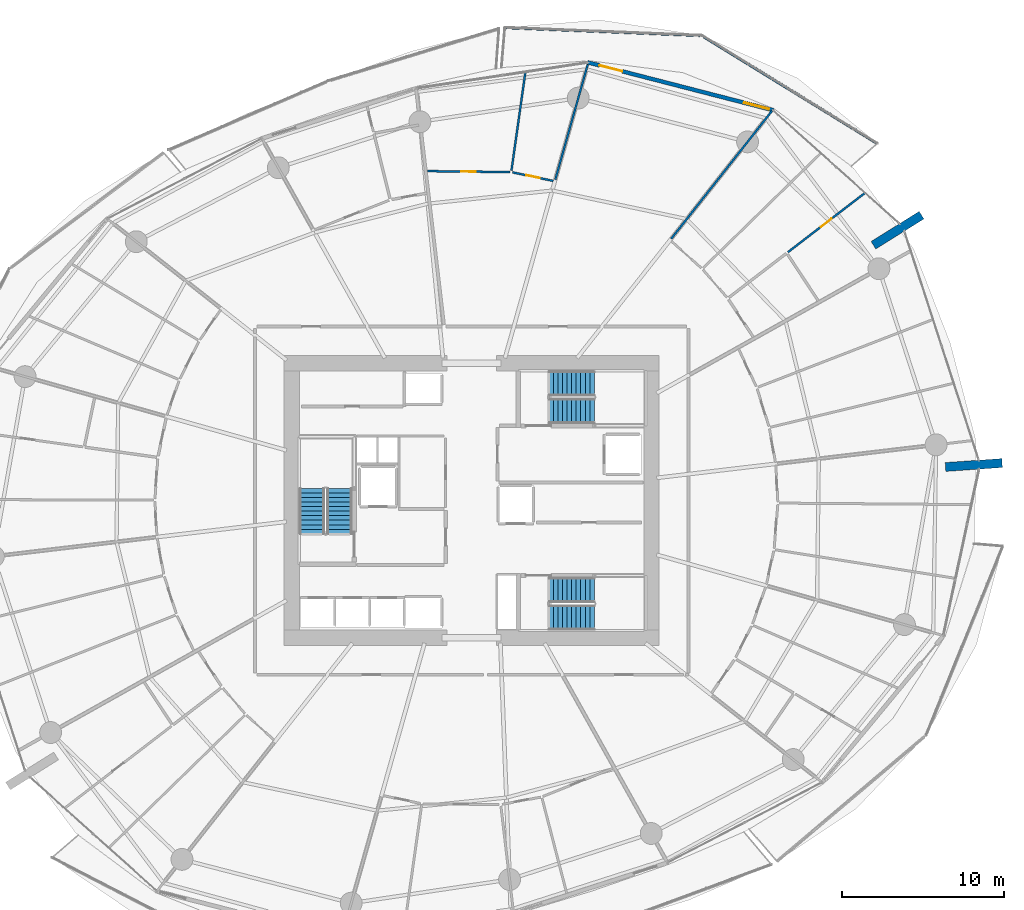
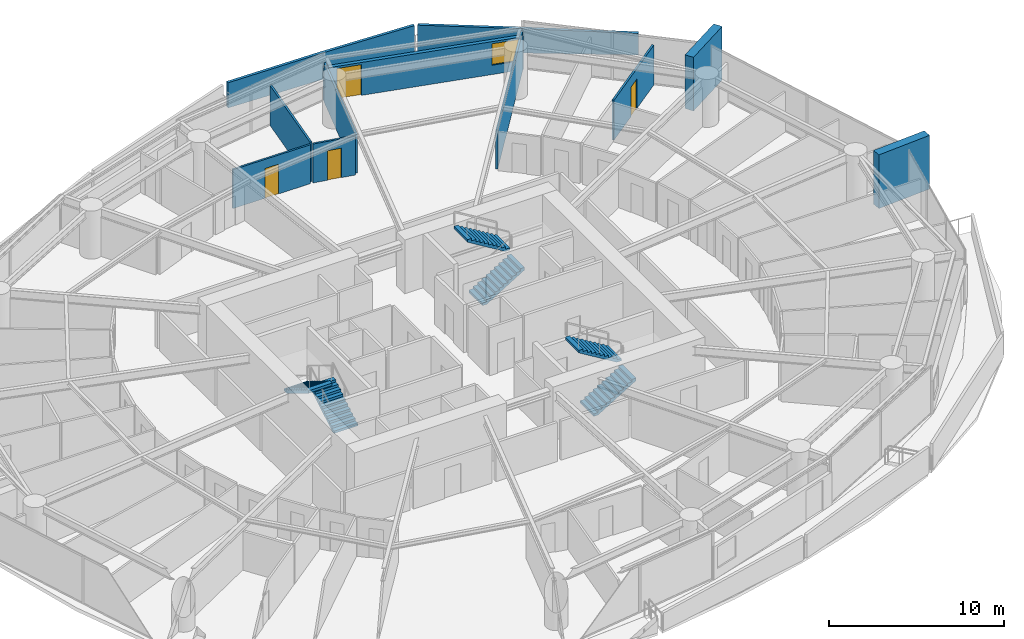
# One storey, part 24 of 31: 11 walls, 6 stair flights, 4 doors, 1 window, 5 openings, 3 elements without a shape of their own.
"""IFC4 building model written with IfcOpenShell, lengths in metres."""

import ifcopenshell
import ifcopenshell.guid

model = None  # the IFC model being written
_history = None  # IfcOwnerHistory: only IFC2X3 demands one
_inside = {}  # id of a spatial element -> (the spatial element, [elements in it])
_under = {}  # id of a project, library or spatial element -> (it, [spatial elements below it])
_declared = {}  # id of a project -> (the project, [libraries it declares])
_typed = {}  # id of a type object -> (the type object, [elements of that type])
_made_of = {}  # id of a material, layer set ... -> (it, [elements and type objects made of it])


def new_model(schema):
    """Start an empty IFC model of exactly this schema.

    Asked for "IFC4X3", IfcOpenShell would pick the latest addendum, in which some entities
    have other attributes; the version numbers below select the first issue.
    IFC2X3 requires an IfcOwnerHistory on every rooted entity: one is made here for all.
    """
    global model, _history
    if schema == "IFC4X3":
        model = ifcopenshell.file(schema_version=(4, 3, 0, 0))
    else:
        model = ifcopenshell.file(schema=schema)
    _inside.clear()
    _under.clear()
    _declared.clear()
    _typed.clear()
    _made_of.clear()
    _history = None
    if model.schema == "IFC2X3":
        org = make("IfcOrganization", Name="unknown")
        user = make(
            "IfcPersonAndOrganization",
            ThePerson=make("IfcPerson", FamilyName="unknown"),
            TheOrganization=org,
        )
        app = make(
            "IfcApplication",
            ApplicationDeveloper=org,
            Version="unknown",
            ApplicationFullName="unknown",
            ApplicationIdentifier="unknown",
        )
        _history = make(
            "IfcOwnerHistory",
            OwningUser=user,
            OwningApplication=app,
            ChangeAction="ADDED",
            CreationDate=0,
        )
    return model


def make(cls, **values):
    """One entity of the class cls with the attributes given. An attribute that is None is left unset."""
    return model.create_entity(
        cls, **{name: value for name, value in values.items() if value is not None}
    )


def rooted(cls, **values):
    """An entity with a GlobalId (a new one), such as an element, a storey or a relation."""
    return make(cls, GlobalId=ifcopenshell.guid.new(), OwnerHistory=_history, **values)


def si_unit(unit_type, name, prefix=None):
    """IfcSIUnit, for example si_unit("LENGTHUNIT", "METRE", prefix="MILLI")."""
    return make("IfcSIUnit", UnitType=unit_type, Prefix=prefix, Name=name)


def assignment(units):
    """IfcUnitAssignment: the units of a project."""
    return None if units is None else make("IfcUnitAssignment", Units=units)


def point(xyz):
    """IfcCartesianPoint."""
    return None if xyz is None else make("IfcCartesianPoint", Coordinates=xyz)


def direction(xyz):
    """IfcDirection."""
    return None if xyz is None else make("IfcDirection", DirectionRatios=xyz)


def frame(location, z_axis=None, x_axis=None):
    """IfcAxis2Placement3D, a coordinate frame: its origin and axes. An axis left out is left unset."""
    return make(
        "IfcAxis2Placement3D",
        Location=point(location),
        Axis=direction(z_axis),
        RefDirection=direction(x_axis),
    )


def frame_2d(location, x_axis=None):
    """IfcAxis2Placement2D, a coordinate frame in the plane: its origin and x axis."""
    return make(
        "IfcAxis2Placement2D", Location=point(location), RefDirection=direction(x_axis)
    )


def origin():
    """The frame at (0, 0, 0) with its axes left unset."""
    return frame((0.0, 0.0, 0.0))


def place(relative_to, where):
    """IfcLocalPlacement: puts the frame where relative to a parent placement (None: the world)."""
    return make(
        "IfcLocalPlacement", PlacementRelTo=relative_to, RelativePlacement=where
    )


def context(
    kind, dimensions, precision=None, world=None, true_north=None, identifier=None
):
    """IfcGeometricRepresentationContext, for example the 3D "Model" context."""
    return make(
        "IfcGeometricRepresentationContext",
        ContextIdentifier=identifier,
        ContextType=kind,
        CoordinateSpaceDimension=dimensions,
        Precision=precision,
        WorldCoordinateSystem=world,
        TrueNorth=true_north,
    )


def subcontext(parent, identifier, kind, view, scale=None):
    """IfcGeometricRepresentationSubContext, for example "Body" below "Model"."""
    return make(
        "IfcGeometricRepresentationSubContext",
        ContextIdentifier=identifier,
        ContextType=kind,
        ParentContext=parent,
        TargetScale=scale,
        TargetView=view,
    )


def project(units=None, contexts=None):
    """IfcProject with its units and contexts."""
    return rooted(
        "IfcProject",
        Name="project",
        RepresentationContexts=contexts,
        UnitsInContext=assignment(units),
    )


def spatial(cls, under=None, at=None, **own):
    """A site, building, storey or space (cls), placed at a placement, below another one or the project."""
    s = rooted(cls, ObjectPlacement=at, **own)
    if under is not None:
        _under.setdefault(under.id(), (under, []))[1].append(s)
    return s


def polyline(points):
    """IfcPolyline through the points."""
    return make("IfcPolyline", Points=[point(p) for p in points])


def profile(cls, at=None, kind="AREA", **sizes):
    """A parametric profile (cls). Its sizes go by their IFC names, for example OverallWidth=200.0."""
    return make(cls, ProfileType=kind, Position=at, **sizes)


def rectangle(**sizes):
    """IfcRectangleProfileDef."""
    return profile("IfcRectangleProfileDef", **sizes)


def outline(outer, holes=None, kind="AREA"):
    """IfcArbitraryClosedProfileDef: a profile drawn as a closed curve; with holes, ...WithVoids."""
    if holes is None:
        return make("IfcArbitraryClosedProfileDef", ProfileType=kind, OuterCurve=outer)
    return make(
        "IfcArbitraryProfileDefWithVoids",
        ProfileType=kind,
        OuterCurve=outer,
        InnerCurves=holes,
    )


def extrude(swept, where, along, depth):
    """IfcExtrudedAreaSolid: the profile swept, set in the frame where, extruded along a direction by depth."""
    return make(
        "IfcExtrudedAreaSolid",
        SweptArea=swept,
        Position=where,
        ExtrudedDirection=direction(along),
        Depth=depth,
    )


def shape(context_of_items, identifier, shape_type, items):
    """IfcShapeRepresentation: the items that make up one representation, for example the "Body"."""
    return make(
        "IfcShapeRepresentation",
        ContextOfItems=context_of_items,
        RepresentationIdentifier=identifier,
        RepresentationType=shape_type,
        Items=items,
    )


def material(Name=None, Category=None):
    """IfcMaterial."""
    return make("IfcMaterial", Name=Name, Category=Category)


def layer(
    of_material, thickness, ventilated=None, Name=None, Category=None, Priority=None
):
    """IfcMaterialLayer: one layer of a wall or slab, of a material (None: an air gap)."""
    return make(
        "IfcMaterialLayer",
        Material=of_material,
        LayerThickness=thickness,
        IsVentilated=ventilated,
        Name=Name,
        Category=Category,
        Priority=Priority,
    )


def layer_set(layers, Name=None):
    """IfcMaterialLayerSet."""
    return make("IfcMaterialLayerSet", MaterialLayers=layers, LayerSetName=Name)


def made_of(thing, what):
    """Note that an element or type object is made of a material, layer set ...; save() writes the relation."""
    if what is not None:
        _made_of.setdefault(what.id(), (what, []))[1].append(thing)
    return thing


def type_object(cls, material=None, **own):
    """A type object (cls), such as IfcWallType, which elements share."""
    return made_of(rooted(cls, **own), material)


def element(
    cls,
    number,
    at=None,
    inside=None,
    cuts=None,
    type_object=None,
    material=None,
    context=None,
    identifier="Body",
    shape_type=None,
    held_by="IfcProductDefinitionShape",
    body=None,
    shapes=None,
    **own,
):
    """One element of the class cls, such as IfcWall. Its Tag is "e" and its number.

    at: its placement. inside: the storey or other place that contains it. cuts: it is an
    opening in that element (IfcRelVoidsElement). A single representation is given by context,
    identifier, shape_type and body (its items); several are given by shapes. held_by: the class
    of the entity that holds the representations. save() writes the other relations.
    """
    e = rooted(cls, Tag="e%d" % number, ObjectPlacement=at, **own)
    if body is not None:
        shapes = [shape(context, identifier, shape_type, body)]
    if shapes is not None:
        e.Representation = make(held_by, Representations=shapes)
    if inside is not None:
        _inside.setdefault(inside.id(), (inside, []))[1].append(e)
    if cuts is not None:
        rooted(
            "IfcRelVoidsElement", RelatingBuildingElement=cuts, RelatedOpeningElement=e
        )
    if type_object is not None:
        _typed.setdefault(type_object.id(), (type_object, []))[1].append(e)
    return made_of(e, material)


def fill(opening, filler):
    """IfcRelFillsElement: the door or window that sits in an opening."""
    return rooted(
        "IfcRelFillsElement",
        RelatingOpeningElement=opening,
        RelatedBuildingElement=filler,
    )


def aggregate(whole, parts):
    """IfcRelAggregates: a whole, such as a stair, and the parts it consists of."""
    return rooted("IfcRelAggregates", RelatingObject=whole, RelatedObjects=parts)


def save(model, path):
    """Write the relations noted so far, then the file.

    IfcRelAggregates (storeys below a building ...), IfcRelContainedInSpatialStructure (elements
    in a storey), IfcRelDefinesByType, IfcRelAssociatesMaterial and IfcRelDeclares: one each for
    every whole, place, type object, material and project.
    """
    for whole, parts in _under.values():
        aggregate(whole, parts)
    for where, things in _inside.values():
        rooted(
            "IfcRelContainedInSpatialStructure",
            RelatedElements=things,
            RelatingStructure=where,
        )
    for kind, things in _typed.values():
        rooted("IfcRelDefinesByType", RelatedObjects=things, RelatingType=kind)
    for what, things in _made_of.values():
        rooted("IfcRelAssociatesMaterial", RelatedObjects=things, RelatingMaterial=what)
    for by, libraries in _declared.values():
        rooted("IfcRelDeclares", RelatingContext=by, RelatedDefinitions=libraries)
    model.write(path)


model = new_model("IFC4")

# Units and contexts
model_context = context("Model", 3, precision=1e-05, world=origin(), true_north=direction((0.0, 1.0)))
body_context = subcontext(model_context, "Body", "Model", "MODEL_VIEW")
ifc_project = project(units=[si_unit("LENGTHUNIT", "METRE"), si_unit("AREAUNIT", "SQUARE_METRE"), si_unit("VOLUMEUNIT", "CUBIC_METRE"), si_unit("PLANEANGLEUNIT", "RADIAN"), si_unit("MASSUNIT", "GRAM", prefix="KILO")], contexts=[model_context])

# Site, building, storey
site_placement = place(None, origin())
site = spatial("IfcSite", under=ifc_project, at=site_placement, CompositionType="ELEMENT")
building_placement = place(site_placement, origin())
building = spatial("IfcBuilding", under=site, at=building_placement, Name="Kazma Halo Residences", CompositionType="ELEMENT")
storey_placement = place(building_placement, frame((0.0, 0.0, 67.64990234375)))
storey = spatial("IfcBuildingStorey", under=building, at=storey_placement, Name="L16", CompositionType="ELEMENT", Elevation=67.64990234375)

# Walls
ifc_material_1 = material(Name="White Concrete C50/60 Balustrade", Category="concrete")
ifc_layer_1 = layer(ifc_material_1, 0.179931640625)
ifc_layer_set_1 = layer_set([ifc_layer_1], Name="White Concrete C50/60 Balustrade")
wall_type_1 = type_object("IfcWallType", Name="WL-BAL-WAVE-180", PredefinedType="PARAPET", material=ifc_layer_set_1)
wall_1_placement = place(storey_placement, frame((73.48779296875, 64.039306640625, 0.0), z_axis=(0.0, 0.0, 1.0), x_axis=(-0.851732671453, 0.523976579991, 0.0)))
element("IfcWall", 1, at=wall_1_placement, inside=storey, type_object=wall_type_1, Name="L16 white wave balustrade wall NE.1", PredefinedType="PARAPET", context=body_context, shape_type="SweptSolid", body=[
    extrude(outline(polyline([(0.0, 0.0), (12.625, 0.0), (12.625244140625, 1.83203125), (6.3125, 1.696044921875), (0.0, 1.4970703125), (0.0, 0.0)])), frame((0.0, 0.08984375, 0.0), z_axis=(0.0, -1.0, 0.0), x_axis=(1.0, 0.0, 0.0)), (0.0, 0.0, 1.0), 0.179931640625),
])
wall_2_placement = place(storey_placement, frame((62.512451171875, 70.722412109375, 0.0), z_axis=(0.0, 0.0, 1.0), x_axis=(-0.999194241802, 0.040135609494, 0.0)))
element("IfcWall", 2, at=wall_2_placement, inside=storey, type_object=wall_type_1, Name="L16 white wave balustrade wall NE.2", PredefinedType="PARAPET", context=body_context, shape_type="SweptSolid", body=[
    extrude(outline(polyline([(0.0, 0.0), (12.044189453125, 0.0), (12.0439453125, 1.756103515625), (6.02197265625, 1.85302734375), (0.0, 1.83203125), (0.0, 0.0)])), frame((0.0, 0.08984375, 0.0), z_axis=(0.0, -1.0, 0.0), x_axis=(1.0, 0.0, 0.0)), (0.0, 0.0, 1.0), 0.179931640625),
])
ifc_material_2 = material(Name="Pale Concrete C60/75", Category="concrete")
ifc_layer_2 = layer(ifc_material_2, 0.550048828125)
ifc_layer_set_2 = layer_set([ifc_layer_2], Name="Pale Concrete C60/75")
wall_type_2 = type_object("IfcWallType", Name="WL-BLADE-550", PredefinedType="SOLIDWALL", material=ifc_layer_set_2)
for number, where, z_axis, x_axis, name in (
    (3, (73.229736328125, 57.765380859375, 0.0), (0.0, 0.0, 1.0), (0.848053161125, 0.529911158502, 0.0), "L16 pale concrete structural blade fin wall BW-01"),
    (4, (77.677978515625, 44.0751953125, 0.0), (0.0, 0.0, 1.0), (0.997564163539, 0.069754853754, 0.0), "L16 pale concrete structural blade fin wall BW-04"),
):
    element("IfcWall", number, at=place(storey_placement, frame(where, z_axis=z_axis, x_axis=x_axis)), inside=storey, type_object=wall_type_2, Name=name, PredefinedType="SOLIDWALL", context=body_context, shape_type="SweptSolid", body=[
        extrude(rectangle(XDim=3.5, YDim=0.550048828125, at=frame_2d((1.75, 0.0))), origin(), (0.0, 0.0, 1.0), 3.75),
    ])

# Wall, openings, door, window
ifc_material_3 = material(Name="Insulated Pale-Metal Composite Wall")
ifc_layer_3 = layer(ifc_material_3, 0.239990234375)
ifc_layer_set_3 = layer_set([ifc_layer_3], Name="Insulated Pale-Metal Composite Wall")
wall_type_3 = type_object("IfcWallType", Name="WL-EXT-HOST-240", PredefinedType="SOLIDWALL", material=ifc_layer_set_3)
wall_3_placement = place(storey_placement, frame((67.05419921875, 66.09619140625, 0.0), z_axis=(0.0, 0.0, 1.0), x_axis=(-0.96833871487, 0.249640007378, 0.0)))
wall_3 = element("IfcWall", 5, at=wall_3_placement, inside=storey, type_object=wall_type_3, Name="L16 exterior terrace-access wall B02", PredefinedType="SOLIDWALL", context=body_context, shape_type="SweptSolid", body=[
    extrude(rectangle(XDim=11.85107421875, YDim=0.239990234375, at=frame_2d((5.925537109375, 0.0))), origin(), (0.0, 0.0, 1.0), 2.300048828125),
])
opening_1_placement = place(wall_3_placement, frame((9.631103515625, 0.0, 0.0)))
opening_1 = element("IfcOpeningElement", 6, at=opening_1_placement, cuts=wall_3, Name="Opening DTR-1600", PredefinedType="OPENING", context=body_context, shape_type="SweptSolid", body=[
    extrude(rectangle(XDim=1.449951171875, YDim=2.14990234375, at=frame_2d((0.72509765625, 1.074951171875))), frame((0.0, 0.1298828125, 0.0), z_axis=(0.0, -1.0, 0.0), x_axis=(1.0, 0.0, 0.0)), (0.0, 0.0, 1.0), 0.260009765625),
])
opening_2_placement = place(wall_3_placement, frame((0.280029296875, 0.0, 0.64990234375)))
opening_2 = element("IfcOpeningElement", 7, at=opening_2_placement, cuts=wall_3, Name="Opening W-1800", PredefinedType="OPENING", context=body_context, shape_type="SweptSolid", body=[
    extrude(rectangle(XDim=1.60009765625, YDim=1.5, at=frame_2d((0.800048828125, 0.75))), frame((0.0, 0.1298828125, 0.0), z_axis=(0.0, -1.0, 0.0), x_axis=(1.0, 0.0, 0.0)), (0.0, 0.0, 1.0), 0.260009765625),
])
ifc_material_4 = material(Name="Aluminium AW-6063 T6 Double-Glazed Terrace Door", Category="aluminium")
door_type_1 = type_object("IfcDoorType", Name="DR-EXT-TERR-1600", OperationType="NOTDEFINED", PredefinedType="DOOR", material=ifc_material_4)
door_1_placement = place(opening_1_placement, origin())
door_1 = element("IfcDoor", 8, at=door_1_placement, inside=storey, type_object=door_type_1, Name="L16 B02 balcony terrace door", OperationType="DOUBLE_DOOR_SLIDING", OverallHeight=2.14990234375, OverallWidth=1.449951171875, PredefinedType="DOOR", context=body_context, shape_type="SweptSolid", body=[
    extrude(rectangle(XDim=1.449951171875, YDim=2.14990234375, at=frame_2d((0.72509765625, 1.074951171875))), frame((0.0, 0.02490234375, 0.0), z_axis=(0.0, -1.0, 0.0), x_axis=(1.0, 0.0, 0.0)), (0.0, 0.0, 1.0), 0.050048828125),
])
fill(opening_1, door_1)
ifc_material_5 = material(Name="Clear Triple-Silver Low-E Glass in Aluminium AW-6063 T6 Frame", Category="aluminium")
window_type = type_object("IfcWindowType", Name="WIN-RES-1800", PartitioningType="DOUBLE_PANEL_VERTICAL", PredefinedType="WINDOW", material=ifc_material_5)
window_placement = place(opening_2_placement, origin())
window = element("IfcWindow", 9, at=window_placement, inside=storey, type_object=window_type, Name="L16 B02 apartment window", OverallHeight=1.5, OverallWidth=1.60009765625, PartitioningType="SINGLE_PANEL", PredefinedType="WINDOW", context=body_context, shape_type="SweptSolid", body=[
    extrude(rectangle(XDim=1.60009765625, YDim=1.5, at=frame_2d((0.800048828125, 0.75))), frame((0.0, 0.030029296875, 0.0), z_axis=(0.0, -1.0, 0.0), x_axis=(1.0, 0.0, 0.0)), (0.0, 0.0, 1.0), 0.06005859375),
])
fill(opening_2, window)

# Wall
ifc_material_6 = material(Name="Gypsum Plasterboard Partition")
ifc_layer_4 = layer(ifc_material_6, 0.125)
ifc_layer_set_4 = layer_set([ifc_layer_4], Name="Gypsum Plasterboard Partition")
wall_type_4 = type_object("IfcWallType", Name="WL-PART-125", PredefinedType="PARTITIONING", material=ifc_layer_set_4)
wall_4_placement = place(storey_placement, frame((60.742919921875, 58.1640625, 0.0), z_axis=(0.0, 0.0, 1.0), x_axis=(0.61907620874, 0.785330916093, 0.0)))
element("IfcWall", 10, at=wall_4_placement, inside=storey, type_object=wall_type_4, Name="L16 Apartment 4 living radial partition 0", PredefinedType="PARTITIONING", context=body_context, shape_type="SweptSolid", body=[
    extrude(rectangle(XDim=10.09130859375, YDim=0.125, at=frame_2d((5.045654296875, 0.0))), origin(), (0.0, 0.0, 1.0), 2.717041015625),
])

# Wall, opening, door
wall_5_placement = place(storey_placement, frame((67.94921875, 57.336669921875, 0.0), z_axis=(0.0, 0.0, 1.0), x_axis=(0.792800135679, 0.609481701832, 0.0)))
wall_5 = element("IfcWall", 11, at=wall_5_placement, inside=storey, type_object=wall_type_4, Name="L16 Apartment 4 Utility Laundry Room partition wall", PredefinedType="PARTITIONING", context=body_context, shape_type="SweptSolid", body=[
    extrude(rectangle(XDim=5.975830078125, YDim=0.125, at=frame_2d((2.98779296875, 0.0))), origin(), (0.0, 0.0, 1.0), 2.7900390625),
])
opening_3_placement = place(wall_5_placement, frame((2.562744140625, 0.0, 0.0)))
opening_3 = element("IfcOpeningElement", 12, at=opening_3_placement, cuts=wall_5, Name="Opening DB-900", PredefinedType="OPENING", context=body_context, shape_type="SweptSolid", body=[
    extrude(rectangle(XDim=0.85009765625, YDim=2.06005859375, at=frame_2d((0.425048828125, 1.030029296875))), frame((0.0, 0.072509765625, 0.0), z_axis=(0.0, -1.0, 0.0), x_axis=(1.0, 0.0, 0.0)), (0.0, 0.0, 1.0), 0.14501953125),
])
ifc_material_7 = material(Name="Moisture-Sealed Timber Leaf", Category="wood")
door_type_2 = type_object("IfcDoorType", Name="DR-BTH-900", OperationType="NOTDEFINED", PredefinedType="DOOR", material=ifc_material_7)
door_2_placement = place(opening_3_placement, origin())
door_2 = element("IfcDoor", 13, at=door_2_placement, inside=storey, type_object=door_type_2, Name="L16 Apartment 4 Utility Laundry Room door", OperationType="SINGLE_SWING_RIGHT", OverallHeight=2.06005859375, OverallWidth=0.85009765625, PredefinedType="DOOR", context=body_context, shape_type="SweptSolid", body=[
    extrude(rectangle(XDim=0.85009765625, YDim=2.06005859375, at=frame_2d((0.425048828125, 1.030029296875))), frame((0.0, 0.02490234375, 0.0), z_axis=(0.0, -1.0, 0.0), x_axis=(1.0, 0.0, 0.0)), (0.0, 0.0, 1.0), 0.050048828125),
])
fill(opening_3, door_2)

# Walls
wall_6_placement = place(storey_placement, frame((53.5869140625, 61.810302734375, 0.0), z_axis=(0.0, 0.0, 1.0), x_axis=(0.271464088879, 0.962448569249, 0.0)))
element("IfcWall", 14, at=wall_6_placement, inside=storey, type_object=wall_type_4, Name="L16 Apartment 4 radial partition 2", PredefinedType="PARTITIONING", context=body_context, shape_type="SweptSolid", body=[
    extrude(rectangle(XDim=7.38916015625, YDim=0.125, at=frame_2d((3.694580078125, 0.0))), origin(), (0.0, 0.0, 1.0), 2.717041015625),
])
wall_7_placement = place(storey_placement, frame((50.8828125, 62.3701171875, 0.0), z_axis=(0.0, 0.0, 1.0), x_axis=(0.140126411414, 0.990133621702, 0.0)))
element("IfcWall", 15, at=wall_7_placement, inside=storey, type_object=wall_type_4, Name="L16 Apartment 4 mid-bay wall 2", PredefinedType="PARTITIONING", context=body_context, shape_type="SweptSolid", body=[
    extrude(rectangle(XDim=6.1240234375, YDim=0.125, at=frame_2d((3.06201171875, 0.0))), origin(), (0.0, 0.0, 1.0), 2.7900390625),
])

# Wall, opening, door
wall_8_placement = place(storey_placement, frame((53.4619140625, 61.734619140625, 0.0), z_axis=(0.0, 0.0, 1.0), x_axis=(-0.978499333356, 0.206249980902, 0.0)))
wall_8 = element("IfcWall", 16, at=wall_8_placement, inside=storey, type_object=wall_type_4, Name="L16 Apartment 4 East Bedroom hall wall", PredefinedType="PARTITIONING", context=body_context, shape_type="SweptSolid", body=[
    extrude(rectangle(XDim=2.568603515625, YDim=0.125, at=frame_2d((1.2841796875, 0.0))), origin(), (0.0, 0.0, 1.0), 2.717041015625),
])
opening_4_placement = place(wall_8_placement, frame((0.859375, 0.0, 0.0)))
opening_4 = element("IfcOpeningElement", 17, at=opening_4_placement, cuts=wall_8, Name="Opening DB-900", PredefinedType="OPENING", context=body_context, shape_type="SweptSolid", body=[
    extrude(rectangle(XDim=0.85009765625, YDim=2.06005859375, at=frame_2d((0.425048828125, 1.030029296875))), frame((0.0, 0.072509765625, 0.0), z_axis=(0.0, -1.0, 0.0), x_axis=(1.0, 0.0, 0.0)), (0.0, 0.0, 1.0), 0.14501953125),
])
door_3_placement = place(opening_4_placement, origin())
door_3 = element("IfcDoor", 18, at=door_3_placement, inside=storey, type_object=door_type_2, Name="L16 Apartment 4 East Bedroom door", OperationType="SINGLE_SWING_LEFT", OverallHeight=2.06005859375, OverallWidth=0.85009765625, PredefinedType="DOOR", context=body_context, shape_type="SweptSolid", body=[
    extrude(rectangle(XDim=0.85009765625, YDim=2.06005859375, at=frame_2d((0.425048828125, 1.030029296875))), frame((0.0, 0.02490234375, 0.0), z_axis=(0.0, -1.0, 0.0), x_axis=(1.0, 0.0, 0.0)), (0.0, 0.0, 1.0), 0.050048828125),
])
fill(opening_4, door_3)

wall_9_placement = place(storey_placement, frame((50.790283203125, 62.28173828125, 0.0), z_axis=(0.0, 0.0, 1.0), x_axis=(-0.99993505002, 0.011397181261, 0.0)))
wall_9 = element("IfcWall", 19, at=wall_9_placement, inside=storey, type_object=wall_type_4, Name="L16 Apartment 4 West Bedroom hall wall", PredefinedType="PARTITIONING", context=body_context, shape_type="SweptSolid", body=[
    extrude(rectangle(XDim=5.09814453125, YDim=0.125, at=frame_2d((2.549072265625, 0.0))), origin(), (0.0, 0.0, 1.0), 2.717041015625),
])
opening_5_placement = place(wall_9_placement, frame((2.09912109375, 0.0, 0.0)))
opening_5 = element("IfcOpeningElement", 20, at=opening_5_placement, cuts=wall_9, Name="Opening DI-950", PredefinedType="OPENING", context=body_context, shape_type="SweptSolid", body=[
    extrude(rectangle(XDim=0.89990234375, YDim=2.080078125, at=frame_2d((0.449951171875, 1.0400390625))), frame((0.0, 0.072509765625, 0.0), z_axis=(0.0, -1.0, 0.0), x_axis=(1.0, 0.0, 0.0)), (0.0, 0.0, 1.0), 0.14501953125),
])
ifc_material_8 = material(Name="Timber Veneer Flush Leaf", Category="wood")
door_type_3 = type_object("IfcDoorType", Name="DR-INT-950", OperationType="NOTDEFINED", PredefinedType="DOOR", material=ifc_material_8)
door_4_placement = place(opening_5_placement, origin())
door_4 = element("IfcDoor", 21, at=door_4_placement, inside=storey, type_object=door_type_3, Name="L16 Apartment 4 West Bedroom door", OperationType="SINGLE_SWING_RIGHT", OverallHeight=2.080078125, OverallWidth=0.89990234375, PredefinedType="DOOR", context=body_context, shape_type="SweptSolid", body=[
    extrude(rectangle(XDim=0.89990234375, YDim=2.080078125, at=frame_2d((0.449951171875, 1.0400390625))), frame((0.0, 0.02490234375, 0.0), z_axis=(0.0, -1.0, 0.0), x_axis=(1.0, 0.0, 0.0)), (0.0, 0.0, 1.0), 0.050048828125),
])
fill(opening_5, door_4)

# Stair, stair flights
ifc_material_9 = material(Name="Concrete C50/60", Category="concrete")
stair_type = type_object("IfcStairType", Name="STR-RES1", PredefinedType="HALF_TURN_STAIR", material=ifc_material_9)
stair_1_placement = place(storey_placement, origin())
stair_1 = element("IfcStair", 22, at=stair_1_placement, inside=storey, type_object=stair_type, Name="L16 Core exit stair ST-01", PredefinedType="HALF_TURN_STAIR")
stair_flight_type = type_object("IfcStairFlightType", Name="STR-RES1-FLT", PredefinedType="STRAIGHT", material=ifc_material_9)
stair_flight_1_placement = place(storey_placement, frame((40.27490234375, 39.949951171875, 0.0), z_axis=(0.0, 0.0, 1.0), x_axis=(0.0, 1.0, 0.0)))
stair_flight_1 = element("IfcStairFlight", 23, at=stair_flight_1_placement, type_object=stair_flight_type, Name="ST-01 flight 1", NumberOfRisers=11, NumberOfTreads=10, PredefinedType="STRAIGHT", RiserHeight=0.170454545, TreadLength=0.28, context=body_context, shape_type="SweptSolid", body=[
    extrude(outline(polyline([(0.0, 0.0), (0.0, 0.17041015625), (0.280029296875, 0.17041015625), (0.280029296875, 0.3408203125), (0.56005859375, 0.3408203125), (0.56005859375, 0.511474609375), (0.840087890625, 0.511474609375), (0.840087890625, 0.681884765625), (1.1201171875, 0.681884765625), (1.1201171875, 0.852294921875), (1.39990234375, 0.852294921875), (1.39990234375, 1.022705078125), (1.679931640625, 1.022705078125), (1.679931640625, 1.193115234375), (1.9599609375, 1.193115234375), (1.9599609375, 1.363525390625), (2.239990234375, 1.363525390625), (2.239990234375, 1.5341796875), (2.52001953125, 1.5341796875), (2.52001953125, 1.70458984375), (2.800048828125, 1.70458984375), (2.800048828125, 1.875), (2.800048828125, 1.529052734375), (0.288330078125, 0.0), (0.0, 0.0)])), frame((0.0, 0.77490234375, 0.0), z_axis=(0.0, -1.0, 0.0), x_axis=(1.0, 0.0, 0.0)), (0.0, 0.0, 1.0), 1.550048828125),
])
stair_flight_2_placement = place(storey_placement, frame((38.574951171875, 42.75, 1.875), z_axis=(0.0, 0.0, 1.0), x_axis=(0.0, -1.0, 0.0)))
stair_flight_2 = element("IfcStairFlight", 24, at=stair_flight_2_placement, type_object=stair_flight_type, Name="ST-01 flight 2", NumberOfRisers=11, NumberOfTreads=10, PredefinedType="STRAIGHT", RiserHeight=0.170454545, TreadLength=0.28, context=body_context, shape_type="SweptSolid", body=[
    extrude(outline(polyline([(0.0, 0.0), (0.0, 0.17041015625), (0.280029296875, 0.17041015625), (0.280029296875, 0.3408203125), (0.56005859375, 0.3408203125), (0.56005859375, 0.511474609375), (0.840087890625, 0.511474609375), (0.840087890625, 0.681884765625), (1.1201171875, 0.681884765625), (1.1201171875, 0.852294921875), (1.39990234375, 0.852294921875), (1.39990234375, 1.022705078125), (1.679931640625, 1.022705078125), (1.679931640625, 1.193115234375), (1.9599609375, 1.193115234375), (1.9599609375, 1.363525390625), (2.239990234375, 1.363525390625), (2.239990234375, 1.5341796875), (2.52001953125, 1.5341796875), (2.52001953125, 1.70458984375), (2.800048828125, 1.70458984375), (2.800048828125, 1.875), (2.800048828125, 1.529052734375), (0.288330078125, 0.0), (0.0, 0.0)])), frame((0.0, 0.77490234375, 0.0), z_axis=(0.0, -1.0, 0.0), x_axis=(1.0, 0.0, 0.0)), (0.0, 0.0, 1.0), 1.550048828125),
])
aggregate(stair_1, [stair_flight_1, stair_flight_2])

stair_2_placement = place(storey_placement, origin())
stair_2 = element("IfcStair", 25, at=stair_2_placement, inside=storey, type_object=stair_type, Name="L16 Core exit stair ST-02", PredefinedType="HALF_TURN_STAIR")
stair_flight_3_placement = place(storey_placement, frame((53.199951171875, 47.52490234375, 0.0), z_axis=(0.0, 0.0, 1.0), x_axis=(1.0, 0.0, 0.0)))
stair_flight_3 = element("IfcStairFlight", 26, at=stair_flight_3_placement, type_object=stair_flight_type, Name="ST-02 flight 1", NumberOfRisers=11, NumberOfTreads=10, PredefinedType="STRAIGHT", RiserHeight=0.170454545, TreadLength=0.28, context=body_context, shape_type="SweptSolid", body=[
    extrude(outline(polyline([(0.0, 0.0), (0.0, 0.17041015625), (0.280029296875, 0.17041015625), (0.280029296875, 0.3408203125), (0.56005859375, 0.3408203125), (0.56005859375, 0.511474609375), (0.840087890625, 0.511474609375), (0.840087890625, 0.681884765625), (1.1201171875, 0.681884765625), (1.1201171875, 0.852294921875), (1.39990234375, 0.852294921875), (1.39990234375, 1.022705078125), (1.679931640625, 1.022705078125), (1.679931640625, 1.193115234375), (1.9599609375, 1.193115234375), (1.9599609375, 1.363525390625), (2.239990234375, 1.363525390625), (2.239990234375, 1.5341796875), (2.52001953125, 1.5341796875), (2.52001953125, 1.70458984375), (2.800048828125, 1.70458984375), (2.800048828125, 1.875), (2.800048828125, 1.529052734375), (0.288330078125, 0.0), (0.0, 0.0)])), frame((0.0, 0.77490234375, 0.0), z_axis=(0.0, -1.0, 0.0), x_axis=(1.0, 0.0, 0.0)), (0.0, 0.0, 1.0), 1.550048828125),
])
stair_flight_4_placement = place(storey_placement, frame((56.0, 49.22509765625, 1.875), z_axis=(0.0, 0.0, 1.0), x_axis=(-1.0, 0.0, 0.0)))
stair_flight_4 = element("IfcStairFlight", 27, at=stair_flight_4_placement, type_object=stair_flight_type, Name="ST-02 flight 2", NumberOfRisers=11, NumberOfTreads=10, PredefinedType="STRAIGHT", RiserHeight=0.170454545, TreadLength=0.28, context=body_context, shape_type="SweptSolid", body=[
    extrude(outline(polyline([(0.0, 0.0), (0.0, 0.17041015625), (0.280029296875, 0.17041015625), (0.280029296875, 0.3408203125), (0.56005859375, 0.3408203125), (0.56005859375, 0.511474609375), (0.840087890625, 0.511474609375), (0.840087890625, 0.681884765625), (1.1201171875, 0.681884765625), (1.1201171875, 0.852294921875), (1.39990234375, 0.852294921875), (1.39990234375, 1.022705078125), (1.679931640625, 1.022705078125), (1.679931640625, 1.193115234375), (1.9599609375, 1.193115234375), (1.9599609375, 1.363525390625), (2.239990234375, 1.363525390625), (2.239990234375, 1.5341796875), (2.52001953125, 1.5341796875), (2.52001953125, 1.70458984375), (2.800048828125, 1.70458984375), (2.800048828125, 1.875), (2.800048828125, 1.529052734375), (0.288330078125, 0.0), (0.0, 0.0)])), frame((0.0, 0.77490234375, 0.0), z_axis=(0.0, -1.0, 0.0), x_axis=(1.0, 0.0, 0.0)), (0.0, 0.0, 1.0), 1.550048828125),
])
aggregate(stair_2, [stair_flight_3, stair_flight_4])

stair_3_placement = place(storey_placement, origin())
stair_3 = element("IfcStair", 28, at=stair_3_placement, inside=storey, type_object=stair_type, Name="L16 Core exit stair ST-03", PredefinedType="HALF_TURN_STAIR")
stair_flight_5_placement = place(storey_placement, frame((53.199951171875, 34.77490234375, 0.0), z_axis=(0.0, 0.0, 1.0), x_axis=(1.0, 0.0, 0.0)))
stair_flight_5 = element("IfcStairFlight", 29, at=stair_flight_5_placement, type_object=stair_flight_type, Name="ST-03 flight 1", NumberOfRisers=11, NumberOfTreads=10, PredefinedType="STRAIGHT", RiserHeight=0.170454545, TreadLength=0.28, context=body_context, shape_type="SweptSolid", body=[
    extrude(outline(polyline([(0.0, 0.0), (0.0, 0.17041015625), (0.280029296875, 0.17041015625), (0.280029296875, 0.3408203125), (0.56005859375, 0.3408203125), (0.56005859375, 0.511474609375), (0.840087890625, 0.511474609375), (0.840087890625, 0.681884765625), (1.1201171875, 0.681884765625), (1.1201171875, 0.852294921875), (1.39990234375, 0.852294921875), (1.39990234375, 1.022705078125), (1.679931640625, 1.022705078125), (1.679931640625, 1.193115234375), (1.9599609375, 1.193115234375), (1.9599609375, 1.363525390625), (2.239990234375, 1.363525390625), (2.239990234375, 1.5341796875), (2.52001953125, 1.5341796875), (2.52001953125, 1.70458984375), (2.800048828125, 1.70458984375), (2.800048828125, 1.875), (2.800048828125, 1.529052734375), (0.288330078125, 0.0), (0.0, 0.0)])), frame((0.0, 0.77490234375, 0.0), z_axis=(0.0, -1.0, 0.0), x_axis=(1.0, 0.0, 0.0)), (0.0, 0.0, 1.0), 1.550048828125),
])
stair_flight_6_placement = place(storey_placement, frame((56.0, 36.47509765625, 1.875), z_axis=(0.0, 0.0, 1.0), x_axis=(-1.0, 0.0, 0.0)))
stair_flight_6 = element("IfcStairFlight", 30, at=stair_flight_6_placement, type_object=stair_flight_type, Name="ST-03 flight 2", NumberOfRisers=11, NumberOfTreads=10, PredefinedType="STRAIGHT", RiserHeight=0.170454545, TreadLength=0.28, context=body_context, shape_type="SweptSolid", body=[
    extrude(outline(polyline([(0.0, 0.0), (0.0, 0.17041015625), (0.280029296875, 0.17041015625), (0.280029296875, 0.3408203125), (0.56005859375, 0.3408203125), (0.56005859375, 0.511474609375), (0.840087890625, 0.511474609375), (0.840087890625, 0.681884765625), (1.1201171875, 0.681884765625), (1.1201171875, 0.852294921875), (1.39990234375, 0.852294921875), (1.39990234375, 1.022705078125), (1.679931640625, 1.022705078125), (1.679931640625, 1.193115234375), (1.9599609375, 1.193115234375), (1.9599609375, 1.363525390625), (2.239990234375, 1.363525390625), (2.239990234375, 1.5341796875), (2.52001953125, 1.5341796875), (2.52001953125, 1.70458984375), (2.800048828125, 1.70458984375), (2.800048828125, 1.875), (2.800048828125, 1.529052734375), (0.288330078125, 0.0), (0.0, 0.0)])), frame((0.0, 0.77490234375, 0.0), z_axis=(0.0, -1.0, 0.0), x_axis=(1.0, 0.0, 0.0)), (0.0, 0.0, 1.0), 1.550048828125),
])
aggregate(stair_3, [stair_flight_5, stair_flight_6])

save(model, "model.ifc")
